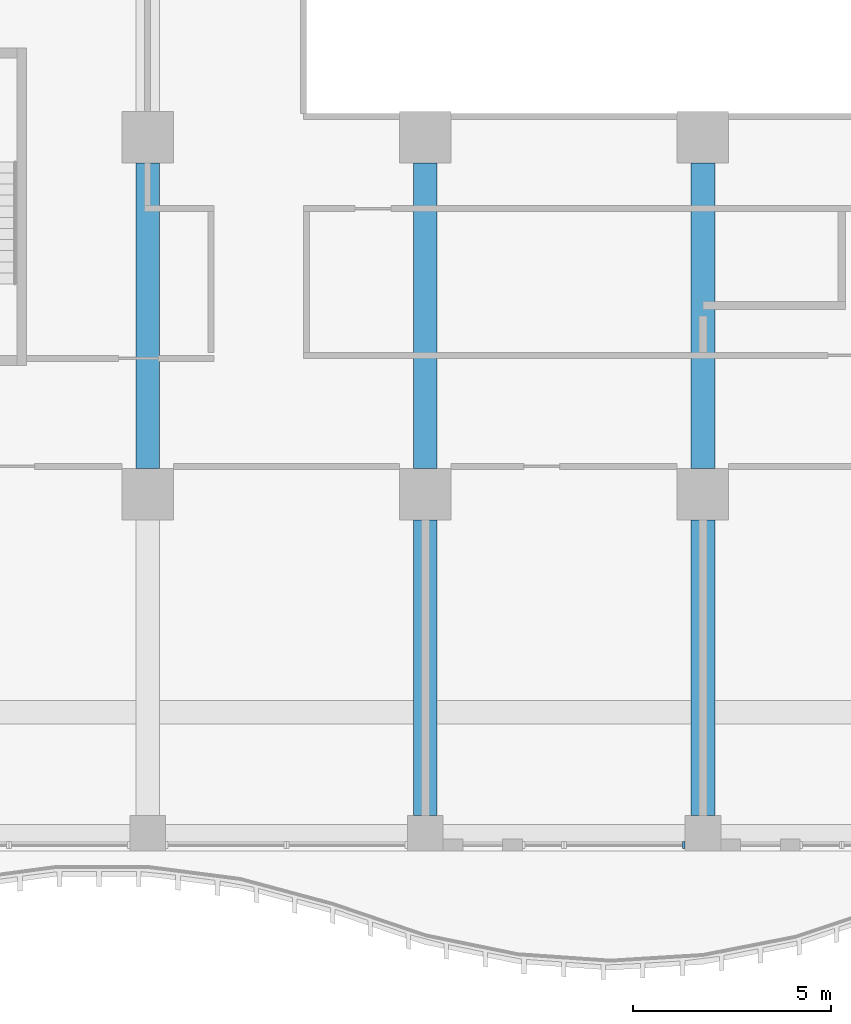
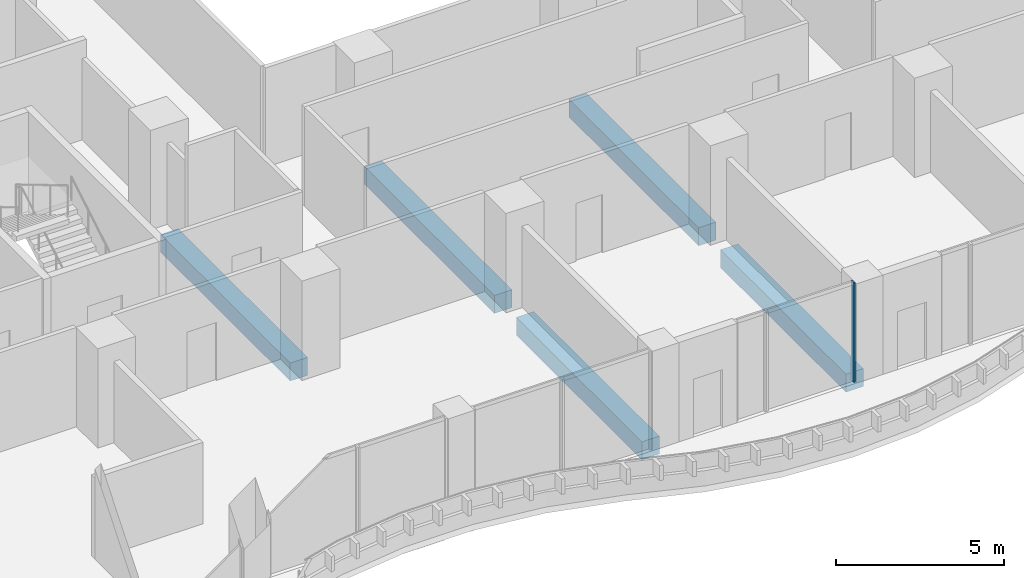
# One storey, part 4 of 23: 5 beams, 1 member, 1 element without a shape of its own.
"""IFC4 building model written with IfcOpenShell, lengths in metres."""

from ifc_helpers import new_model, si_unit, direction, frame, origin, origin_2d, place, context, subcontext, project, spatial, rectangle, extrude, source, transform, mapped, material, material_profile, profile_set, type_object, element, aggregate, save


model = new_model("IFC4")

# Units and contexts
model_context = context("Model", 3, precision=1e-05, world=origin(), true_north=direction((0.0, 1.0)))
body_context = subcontext(model_context, "Body", "Model", "MODEL_VIEW")
ifc_project = project(units=[si_unit("LENGTHUNIT", "METRE"), si_unit("AREAUNIT", "SQUARE_METRE"), si_unit("VOLUMEUNIT", "CUBIC_METRE"), si_unit("PLANEANGLEUNIT", "RADIAN"), si_unit("MASSUNIT", "GRAM", prefix="KILO")], contexts=[model_context])

# Site, building, storey
site_placement = place(None, origin())
site = spatial("IfcSite", under=ifc_project, at=site_placement, CompositionType="ELEMENT")
building_placement = place(site_placement, origin())
building = spatial("IfcBuilding", under=site, at=building_placement, Name="Kilnfold Tower and Market Hall", CompositionType="ELEMENT")
storey_placement = place(building_placement, frame((0.0, 0.0, 55.0)))
storey = spatial("IfcBuildingStorey", under=building, at=storey_placement, Name="L12", CompositionType="ELEMENT", Elevation=55.0)

# Beams
ifc_material_1 = material(Name="Concrete C45", Category="concrete")
ifc_material_profile_1 = material_profile(ifc_material_1, rectangle(XDim=0.60009765625, YDim=0.64990234375, at=origin_2d()), Name="RC 600x650")
ifc_profile_set_1 = profile_set([ifc_material_profile_1], Name="Concrete C45")
beam_type = type_object("IfcBeamType", Name="BEAM 600X650 C45", PredefinedType="BEAM", material=ifc_profile_set_1)
shared_shape_1 = source(origin(), body_context, "Body", "SweptSolid", [
    extrude(rectangle(XDim=0.60009765625, YDim=0.64990234375, at=origin_2d()), origin(), (0.0, 0.0, 1.0), 7.4501953125),
])
for number, where, z_axis, x_axis, name in (
    (1, (-3.5, -27.10009765625, -0.60498046875), (0.0, 1.0, 0.0), (-1.0, 0.0, 0.0), "Beam BB650-B1.43"),
    (2, (3.5, -27.10009765625, -0.60498046875), (0.0, 1.0, 0.0), (-1.0, 0.0, 0.0), "Beam BB650-B1.45"),
):
    element("IfcBeam", number, at=place(storey_placement, frame(where, z_axis=z_axis, x_axis=x_axis)), inside=storey, type_object=beam_type, Name=name, PredefinedType="BEAM", context=body_context, shape_type="MappedRepresentation", body=[
        mapped(shared_shape_1, transform((0.0, 0.0, 0.0))),
    ])
shared_shape_2 = source(origin(), body_context, "Body", "SweptSolid", [
    extrude(rectangle(XDim=0.60009765625, YDim=0.64990234375, at=origin_2d()), origin(), (0.0, 0.0, 1.0), 7.7001953125),
])
for number, where, z_axis, x_axis, name in (
    (3, (-10.5, -18.35009765625, -0.60498046875), (0.0, 1.0, 0.0), (-1.0, 0.0, 0.0), "Beam BB650-B1.41"),
    (4, (-3.5, -18.35009765625, -0.60498046875), (0.0, 1.0, 0.0), (-1.0, 0.0, 0.0), "Beam BB650-B1.44"),
    (5, (3.5, -18.35009765625, -0.60498046875), (0.0, 1.0, 0.0), (-1.0, 0.0, 0.0), "Beam BB650-B1.46"),
):
    element("IfcBeam", number, at=place(storey_placement, frame(where, z_axis=z_axis, x_axis=x_axis)), inside=storey, type_object=beam_type, Name=name, PredefinedType="BEAM", context=body_context, shape_type="MappedRepresentation", body=[
        mapped(shared_shape_2, transform((0.0, 0.0, 0.0))),
    ])

# Curtain wall, member
ifc_material_2 = material(Name="Aluminium and double glazing", Category="aluminium")
curtain_wall_type = type_object("IfcCurtainWallType", Name="CW OF1 VALLEY GLAZING", PredefinedType="NOTDEFINED", material=ifc_material_2)
curtain_wall_placement = place(storey_placement, origin())
curtain_wall = element("IfcCurtainWall", 6, at=curtain_wall_placement, inside=storey, type_object=curtain_wall_type, Name="Curtain wall CW1 L12 S", PredefinedType="NOTDEFINED")
ifc_material_3 = material(Name="Aluminium", Category="aluminium")
ifc_material_profile_2 = material_profile(ifc_material_3, rectangle(XDim=0.06005859375, YDim=0.179931640625, at=origin_2d()), Name="MULLION 60x180")
ifc_profile_set_2 = profile_set([ifc_material_profile_2], Name="Aluminium")
member_type = type_object("IfcMemberType", Name="MULLION 60X180", PredefinedType="MULLION", material=ifc_profile_set_2)
shared_shape_3 = source(origin(), body_context, "Body", "SweptSolid", [
    extrude(rectangle(XDim=0.06005859375, YDim=0.179931640625, at=origin_2d()), origin(), (0.0, 0.0, 1.0), 3.60009765625),
])
member_placement = place(storey_placement, frame((3.02001953125, -27.85009765625, 0.0), z_axis=(0.0, 0.0, 1.0), x_axis=(1.0, 0.0, 0.0)))
member = element("IfcMember", 7, at=member_placement, type_object=member_type, Name="CW1 mullion 2", PredefinedType="MULLION", context=body_context, shape_type="MappedRepresentation", body=[
    mapped(shared_shape_3, transform((0.0, 0.0, 0.0))),
])
aggregate(curtain_wall, [member])

save(model, "model.ifc")
